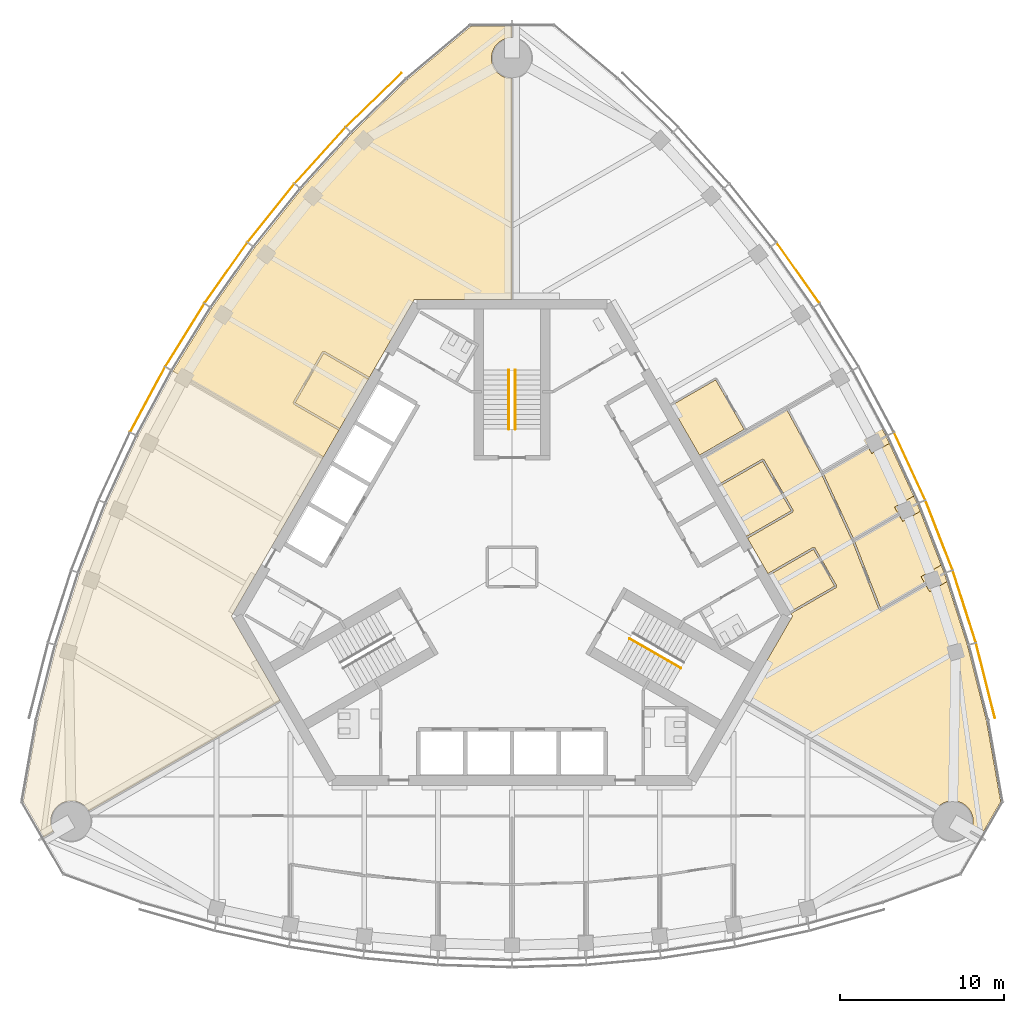
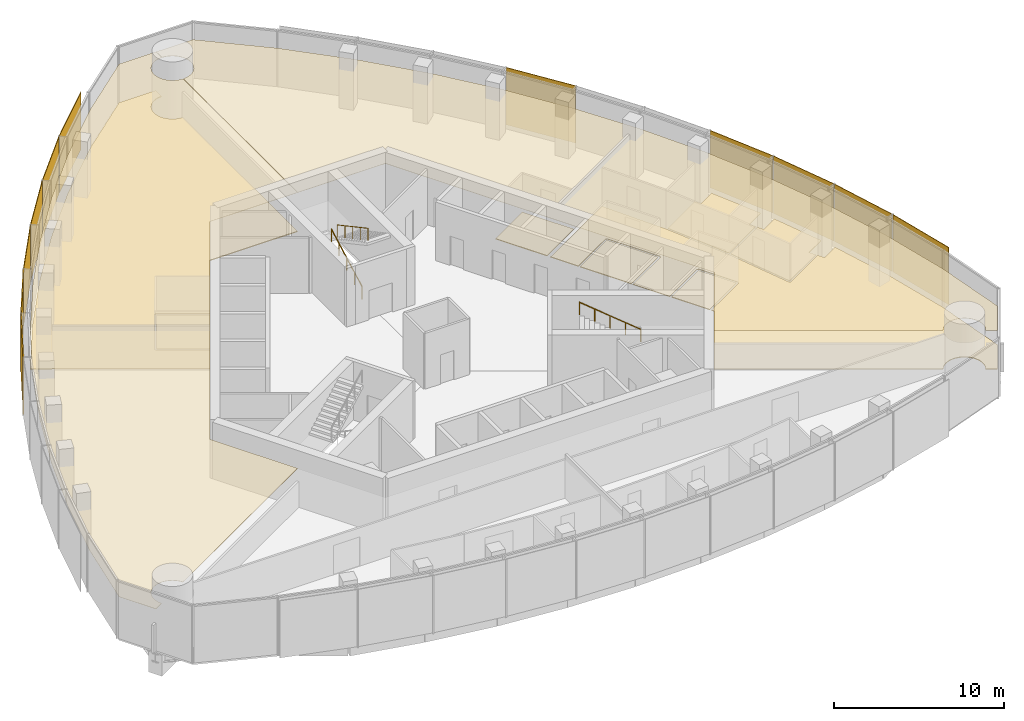
# One storey, part 13 of 16: 11 shading devices, 10 coverings, 3 railings.
"""IFC4 building model written with IfcOpenShell, lengths in metres."""

import ifcopenshell
import ifcopenshell.guid

model = None  # the IFC model being written
_history = None  # IfcOwnerHistory: only IFC2X3 demands one
_inside = {}  # id of a spatial element -> (the spatial element, [elements in it])
_under = {}  # id of a project, library or spatial element -> (it, [spatial elements below it])
_declared = {}  # id of a project -> (the project, [libraries it declares])
_typed = {}  # id of a type object -> (the type object, [elements of that type])
_made_of = {}  # id of a material, layer set ... -> (it, [elements and type objects made of it])


def new_model(schema):
    """Start an empty IFC model of exactly this schema.

    Asked for "IFC4X3", IfcOpenShell would pick the latest addendum, in which some entities
    have other attributes; the version numbers below select the first issue.
    IFC2X3 requires an IfcOwnerHistory on every rooted entity: one is made here for all.
    """
    global model, _history
    if schema == "IFC4X3":
        model = ifcopenshell.file(schema_version=(4, 3, 0, 0))
    else:
        model = ifcopenshell.file(schema=schema)
    _inside.clear()
    _under.clear()
    _declared.clear()
    _typed.clear()
    _made_of.clear()
    _history = None
    if model.schema == "IFC2X3":
        org = make("IfcOrganization", Name="unknown")
        user = make(
            "IfcPersonAndOrganization",
            ThePerson=make("IfcPerson", FamilyName="unknown"),
            TheOrganization=org,
        )
        app = make(
            "IfcApplication",
            ApplicationDeveloper=org,
            Version="unknown",
            ApplicationFullName="unknown",
            ApplicationIdentifier="unknown",
        )
        _history = make(
            "IfcOwnerHistory",
            OwningUser=user,
            OwningApplication=app,
            ChangeAction="ADDED",
            CreationDate=0,
        )
    return model


def make(cls, **values):
    """One entity of the class cls with the attributes given. An attribute that is None is left unset."""
    return model.create_entity(
        cls, **{name: value for name, value in values.items() if value is not None}
    )


def rooted(cls, **values):
    """An entity with a GlobalId (a new one), such as an element, a storey or a relation."""
    return make(cls, GlobalId=ifcopenshell.guid.new(), OwnerHistory=_history, **values)


def si_unit(unit_type, name, prefix=None):
    """IfcSIUnit, for example si_unit("LENGTHUNIT", "METRE", prefix="MILLI")."""
    return make("IfcSIUnit", UnitType=unit_type, Prefix=prefix, Name=name)


def assignment(units):
    """IfcUnitAssignment: the units of a project."""
    return None if units is None else make("IfcUnitAssignment", Units=units)


def point(xyz):
    """IfcCartesianPoint."""
    return None if xyz is None else make("IfcCartesianPoint", Coordinates=xyz)


def direction(xyz):
    """IfcDirection."""
    return None if xyz is None else make("IfcDirection", DirectionRatios=xyz)


def frame(location, z_axis=None, x_axis=None):
    """IfcAxis2Placement3D, a coordinate frame: its origin and axes. An axis left out is left unset."""
    return make(
        "IfcAxis2Placement3D",
        Location=point(location),
        Axis=direction(z_axis),
        RefDirection=direction(x_axis),
    )


def frame_2d(location, x_axis=None):
    """IfcAxis2Placement2D, a coordinate frame in the plane: its origin and x axis."""
    return make(
        "IfcAxis2Placement2D", Location=point(location), RefDirection=direction(x_axis)
    )


def origin():
    """The frame at (0, 0, 0) with its axes left unset."""
    return frame((0.0, 0.0, 0.0))


def origin_2d():
    """The frame at (0, 0) in the plane with its x axis left unset."""
    return frame_2d((0.0, 0.0))


def place(relative_to, where):
    """IfcLocalPlacement: puts the frame where relative to a parent placement (None: the world)."""
    return make(
        "IfcLocalPlacement", PlacementRelTo=relative_to, RelativePlacement=where
    )


def context(
    kind, dimensions, precision=None, world=None, true_north=None, identifier=None
):
    """IfcGeometricRepresentationContext, for example the 3D "Model" context."""
    return make(
        "IfcGeometricRepresentationContext",
        ContextIdentifier=identifier,
        ContextType=kind,
        CoordinateSpaceDimension=dimensions,
        Precision=precision,
        WorldCoordinateSystem=world,
        TrueNorth=true_north,
    )


def subcontext(parent, identifier, kind, view, scale=None):
    """IfcGeometricRepresentationSubContext, for example "Body" below "Model"."""
    return make(
        "IfcGeometricRepresentationSubContext",
        ContextIdentifier=identifier,
        ContextType=kind,
        ParentContext=parent,
        TargetScale=scale,
        TargetView=view,
    )


def project(units=None, contexts=None):
    """IfcProject with its units and contexts."""
    return rooted(
        "IfcProject",
        Name="project",
        RepresentationContexts=contexts,
        UnitsInContext=assignment(units),
    )


def spatial(cls, under=None, at=None, **own):
    """A site, building, storey or space (cls), placed at a placement, below another one or the project."""
    s = rooted(cls, ObjectPlacement=at, **own)
    if under is not None:
        _under.setdefault(under.id(), (under, []))[1].append(s)
    return s


def polyline(points):
    """IfcPolyline through the points."""
    return make("IfcPolyline", Points=[point(p) for p in points])


def profile(cls, at=None, kind="AREA", **sizes):
    """A parametric profile (cls). Its sizes go by their IFC names, for example OverallWidth=200.0."""
    return make(cls, ProfileType=kind, Position=at, **sizes)


def rectangle(**sizes):
    """IfcRectangleProfileDef."""
    return profile("IfcRectangleProfileDef", **sizes)


def circle(**sizes):
    """IfcCircleProfileDef."""
    return profile("IfcCircleProfileDef", **sizes)


def outline(outer, holes=None, kind="AREA"):
    """IfcArbitraryClosedProfileDef: a profile drawn as a closed curve; with holes, ...WithVoids."""
    if holes is None:
        return make("IfcArbitraryClosedProfileDef", ProfileType=kind, OuterCurve=outer)
    return make(
        "IfcArbitraryProfileDefWithVoids",
        ProfileType=kind,
        OuterCurve=outer,
        InnerCurves=holes,
    )


def extrude(swept, where, along, depth):
    """IfcExtrudedAreaSolid: the profile swept, set in the frame where, extruded along a direction by depth."""
    return make(
        "IfcExtrudedAreaSolid",
        SweptArea=swept,
        Position=where,
        ExtrudedDirection=direction(along),
        Depth=depth,
    )


def shape(context_of_items, identifier, shape_type, items):
    """IfcShapeRepresentation: the items that make up one representation, for example the "Body"."""
    return make(
        "IfcShapeRepresentation",
        ContextOfItems=context_of_items,
        RepresentationIdentifier=identifier,
        RepresentationType=shape_type,
        Items=items,
    )


def material(Name=None, Category=None):
    """IfcMaterial."""
    return make("IfcMaterial", Name=Name, Category=Category)


def layer(
    of_material, thickness, ventilated=None, Name=None, Category=None, Priority=None
):
    """IfcMaterialLayer: one layer of a wall or slab, of a material (None: an air gap)."""
    return make(
        "IfcMaterialLayer",
        Material=of_material,
        LayerThickness=thickness,
        IsVentilated=ventilated,
        Name=Name,
        Category=Category,
        Priority=Priority,
    )


def layer_set(layers, Name=None):
    """IfcMaterialLayerSet."""
    return make("IfcMaterialLayerSet", MaterialLayers=layers, LayerSetName=Name)


def made_of(thing, what):
    """Note that an element or type object is made of a material, layer set ...; save() writes the relation."""
    if what is not None:
        _made_of.setdefault(what.id(), (what, []))[1].append(thing)
    return thing


def type_object(cls, material=None, **own):
    """A type object (cls), such as IfcWallType, which elements share."""
    return made_of(rooted(cls, **own), material)


def element(
    cls,
    number,
    at=None,
    inside=None,
    cuts=None,
    type_object=None,
    material=None,
    context=None,
    identifier="Body",
    shape_type=None,
    held_by="IfcProductDefinitionShape",
    body=None,
    shapes=None,
    **own,
):
    """One element of the class cls, such as IfcWall. Its Tag is "e" and its number.

    at: its placement. inside: the storey or other place that contains it. cuts: it is an
    opening in that element (IfcRelVoidsElement). A single representation is given by context,
    identifier, shape_type and body (its items); several are given by shapes. held_by: the class
    of the entity that holds the representations. save() writes the other relations.
    """
    e = rooted(cls, Tag="e%d" % number, ObjectPlacement=at, **own)
    if body is not None:
        shapes = [shape(context, identifier, shape_type, body)]
    if shapes is not None:
        e.Representation = make(held_by, Representations=shapes)
    if inside is not None:
        _inside.setdefault(inside.id(), (inside, []))[1].append(e)
    if cuts is not None:
        rooted(
            "IfcRelVoidsElement", RelatingBuildingElement=cuts, RelatedOpeningElement=e
        )
    if type_object is not None:
        _typed.setdefault(type_object.id(), (type_object, []))[1].append(e)
    return made_of(e, material)


def aggregate(whole, parts):
    """IfcRelAggregates: a whole, such as a stair, and the parts it consists of."""
    return rooted("IfcRelAggregates", RelatingObject=whole, RelatedObjects=parts)


def save(model, path):
    """Write the relations noted so far, then the file.

    IfcRelAggregates (storeys below a building ...), IfcRelContainedInSpatialStructure (elements
    in a storey), IfcRelDefinesByType, IfcRelAssociatesMaterial and IfcRelDeclares: one each for
    every whole, place, type object, material and project.
    """
    for whole, parts in _under.values():
        aggregate(whole, parts)
    for where, things in _inside.values():
        rooted(
            "IfcRelContainedInSpatialStructure",
            RelatedElements=things,
            RelatingStructure=where,
        )
    for kind, things in _typed.values():
        rooted("IfcRelDefinesByType", RelatedObjects=things, RelatingType=kind)
    for what, things in _made_of.values():
        rooted("IfcRelAssociatesMaterial", RelatedObjects=things, RelatingMaterial=what)
    for by, libraries in _declared.values():
        rooted("IfcRelDeclares", RelatingContext=by, RelatedDefinitions=libraries)
    model.write(path)


model = new_model("IFC4")

# Units and contexts
model_context = context("Model", 3, precision=1e-05, world=origin(), true_north=direction((0.0, 1.0)))
body_context = subcontext(model_context, "Body", "Model", "MODEL_VIEW")
ifc_project = project(units=[si_unit("LENGTHUNIT", "METRE"), si_unit("AREAUNIT", "SQUARE_METRE"), si_unit("VOLUMEUNIT", "CUBIC_METRE"), si_unit("PLANEANGLEUNIT", "RADIAN"), si_unit("MASSUNIT", "GRAM", prefix="KILO")], contexts=[model_context])

# Site, building, storey
site_placement = place(None, origin())
site = spatial("IfcSite", under=ifc_project, at=site_placement, CompositionType="ELEMENT")
building_placement = place(site_placement, origin())
building = spatial("IfcBuilding", under=site, at=building_placement, Name="Trefoil Bronze Tower", CompositionType="ELEMENT")
storey_placement = place(building_placement, frame((0.0, 0.0, 318.300048828125)))
storey = spatial("IfcBuildingStorey", under=building, at=storey_placement, Name="L73", CompositionType="ELEMENT", Elevation=318.300048828125)

# Shading devices
ifc_material_1 = material(Name="Perforated bronze sheet", Category="bronze")
ifc_layer_1 = layer(ifc_material_1, 0.0400390625)
ifc_layer_set_1 = layer_set([ifc_layer_1], Name="Bronze solar screen panel")
shading_device_type = type_object("IfcShadingDeviceType", Name="Bronze solar screen panel", PredefinedType="SHUTTER", material=ifc_layer_set_1)
shading_device_1_placement = place(storey_placement, frame((28.843994140625, -6.927490234375, 0.0498046875), z_axis=(0.0, 0.0, 1.0), x_axis=(-0.244879561333, 0.969553505713, 0.0)))
element("IfcShadingDevice", 1, at=shading_device_1_placement, inside=storey, type_object=shading_device_type, Name="Solar screen CW-A L73 F2 bay 1", PredefinedType="SHUTTER", context=body_context, shape_type="SweptSolid", body=[
    extrude(rectangle(XDim=4.697509765625, YDim=0.0400390625, at=origin_2d()), origin(), (0.0, 0.0, 1.0), 4.10009765625),
])
shading_device_2_placement = place(storey_placement, frame((27.55322265625, -2.410888671875, 0.0498046875), z_axis=(0.0, 0.0, 1.0), x_axis=(-0.305187864214, 0.952292165009, 0.0)))
element("IfcShadingDevice", 2, at=shading_device_2_placement, inside=storey, type_object=shading_device_type, Name="Solar screen CW-A L73 F2 bay 2", PredefinedType="SHUTTER", context=body_context, shape_type="SweptSolid", body=[
    extrude(rectangle(XDim=4.574462890625, YDim=0.0400390625, at=origin_2d()), origin(), (0.0, 0.0, 1.0), 4.10009765625),
])
shading_device_3_placement = place(storey_placement, frame((26.0126953125, 1.93359375, 0.0498046875), z_axis=(0.0, 0.0, 1.0), x_axis=(-0.363198578387, 0.931711754062, 0.0)))
element("IfcShadingDevice", 3, at=shading_device_3_placement, inside=storey, type_object=shading_device_type, Name="Solar screen CW-A L73 F2 bay 3", PredefinedType="SHUTTER", context=body_context, shape_type="SweptSolid", body=[
    extrude(rectangle(XDim=4.5224609375, YDim=0.0400390625, at=origin_2d()), origin(), (0.0, 0.0, 1.0), 4.10009765625),
])
for number, where, z_axis, x_axis, name in (
    (4, (24.2255859375, 6.135986328125, 0.0498046875), (0.0, 0.0, 1.0), (-0.419309148468, 0.907843509649, 0.0), "Solar screen CW-A L73 F2 bay 4"),
    (5, (17.4267578125, 17.912109375, 0.0498046875), (0.0, 0.0, 1.0), (-0.576560967783, 0.817054129437, 0.0), "Solar screen CW-A L73 F2 bay 7"),
):
    element("IfcShadingDevice", number, at=place(storey_placement, frame(where, z_axis=z_axis, x_axis=x_axis)), inside=storey, type_object=shading_device_type, Name=name, PredefinedType="SHUTTER", context=body_context, shape_type="SweptSolid", body=[
        extrude(rectangle(XDim=4.48876953125, YDim=0.0400390625, at=origin_2d()), origin(), (0.0, 0.0, 1.0), 4.10009765625),
    ])
shading_device_4_placement = place(storey_placement, frame((-8.42236328125, 28.443359375, 0.0498046875), z_axis=(0.0, 0.0, 1.0), x_axis=(-0.71721818561, -0.696848673839, 0.0)))
element("IfcShadingDevice", 6, at=shading_device_4_placement, inside=storey, type_object=shading_device_type, Name="Solar screen CW-A L73 F3 bay 1", PredefinedType="SHUTTER", context=body_context, shape_type="SweptSolid", body=[
    extrude(rectangle(XDim=4.697509765625, YDim=0.0400390625, at=origin_2d()), origin(), (0.0, 0.0, 1.0), 4.10009765625),
])
shading_device_5_placement = place(storey_placement, frame((-11.688720703125, 25.067138671875, 0.0498046875), z_axis=(0.0, 0.0, 1.0), x_axis=(-0.672115274615, -0.74044652584, 0.0)))
element("IfcShadingDevice", 7, at=shading_device_5_placement, inside=storey, type_object=shading_device_type, Name="Solar screen CW-A L73 F3 bay 2", PredefinedType="SHUTTER", context=body_context, shape_type="SweptSolid", body=[
    extrude(rectangle(XDim=4.574462890625, YDim=0.0400390625, at=origin_2d()), origin(), (0.0, 0.0, 1.0), 4.10009765625),
])
shading_device_6_placement = place(storey_placement, frame((-14.680908203125, 21.560791015625, 0.0498046875), z_axis=(0.0, 0.0, 1.0), x_axis=(-0.625286758829, -0.780395072533, 0.0)))
element("IfcShadingDevice", 8, at=shading_device_6_placement, inside=storey, type_object=shading_device_type, Name="Solar screen CW-A L73 F3 bay 3", PredefinedType="SHUTTER", context=body_context, shape_type="SweptSolid", body=[
    extrude(rectangle(XDim=4.5224609375, YDim=0.0400390625, at=origin_2d()), origin(), (0.0, 0.0, 1.0), 4.10009765625),
])
shading_device_7_placement = place(storey_placement, frame((-17.4267578125, 17.912109375, 0.0498046875), z_axis=(0.0, 0.0, 1.0), x_axis=(-0.576560967783, -0.817054129437, 0.0)))
element("IfcShadingDevice", 9, at=shading_device_7_placement, inside=storey, type_object=shading_device_type, Name="Solar screen CW-A L73 F3 bay 4", PredefinedType="SHUTTER", context=body_context, shape_type="SweptSolid", body=[
    extrude(rectangle(XDim=4.48876953125, YDim=0.0400390625, at=origin_2d()), origin(), (0.0, 0.0, 1.0), 4.10009765625),
])
for number, where, z_axis, x_axis, name in (
    (10, (-19.931396484375, 14.124267578125, 0.0498046875), (0.0, 0.0, 1.0), (-0.525979532701, -0.850497225851, 0.0), "Solar screen CW-A L73 F3 bay 5"),
    (11, (-22.19775390625, 10.198974609375, 0.0498046875), (0.0, 0.0, 1.0), (-0.473562437085, -0.880760250115, 0.0), "Solar screen CW-A L73 F3 bay 6"),
):
    element("IfcShadingDevice", number, at=place(storey_placement, frame(where, z_axis=z_axis, x_axis=x_axis)), inside=storey, type_object=shading_device_type, Name=name, PredefinedType="SHUTTER", context=body_context, shape_type="SweptSolid", body=[
        extrude(rectangle(XDim=4.47216796875, YDim=0.0400390625, at=origin_2d()), origin(), (0.0, 0.0, 1.0), 4.10009765625),
    ])

# Railings
ifc_material_2 = material(Name="Steel handrail", Category="steel")
railing_type = type_object("IfcRailingType", Name="Handrail 900", PredefinedType="HANDRAIL", material=ifc_material_2)
railing_1_placement = place(storey_placement, frame((10.28369140625, -6.168212890625, 2.261474609375)))
element("IfcRailing", 12, at=railing_1_placement, inside=storey, type_object=railing_type, Name="Handrail ST1 flight 2 L73", PredefinedType="HANDRAIL", context=body_context, shape_type="SweptSolid", body=[
    extrude(circle(Radius=0.02392578125, at=origin_2d()), frame((0.0, 0.0, 0.8759765625), z_axis=(-0.76250339821, 0.440245697338, 0.474101564745), x_axis=(-0.500012057535, -0.866018442252, 0.0)), (0.0, 0.0, 1.0), 4.088623046875),
    extrude(circle(Radius=0.02099609375, at=origin_2d()), origin(), (0.0, 0.0, 1.0), 0.851806640625),
    extrude(circle(Radius=0.02099609375, at=origin_2d()), frame((-0.779296875, 0.449951171875, 0.484619140625)), (0.0, 0.0, 1.0), 0.851806640625),
    extrude(circle(Radius=0.02099609375, at=origin_2d()), frame((-1.558837890625, 0.89990234375, 0.96923828125)), (0.0, 0.0, 1.0), 0.851806640625),
    extrude(circle(Radius=0.02099609375, at=origin_2d()), frame((-2.33837890625, 1.35009765625, 1.453857421875)), (0.0, 0.0, 1.0), 0.851806640625),
    extrude(circle(Radius=0.02099609375, at=origin_2d()), frame((-3.11767578125, 1.800048828125, 1.9384765625)), (0.0, 0.0, 1.0), 0.851806640625),
])
railing_2_placement = place(storey_placement, frame((-0.199951171875, 8.389892578125, 0.161376953125)))
element("IfcRailing", 13, at=railing_2_placement, inside=storey, type_object=railing_type, Name="Handrail ST2 flight 1 L73", PredefinedType="HANDRAIL", context=body_context, shape_type="SweptSolid", body=[
    extrude(circle(Radius=0.02392578125, at=origin_2d()), frame((0.0, 0.0, 0.8759765625), z_axis=(0.0, 0.880474934443, 0.474092701714), x_axis=(-1.0, 0.0, 0.0)), (0.0, 0.0, 1.0), 4.0888671875),
    extrude(circle(Radius=0.02099609375, at=origin_2d()), origin(), (0.0, 0.0, 1.0), 0.851806640625),
    extrude(circle(Radius=0.02099609375, at=origin_2d()), frame((0.0, 0.89990234375, 0.484619140625)), (0.0, 0.0, 1.0), 0.851806640625),
    extrude(circle(Radius=0.02099609375, at=origin_2d()), frame((0.0, 1.800048828125, 0.96923828125)), (0.0, 0.0, 1.0), 0.851806640625),
    extrude(circle(Radius=0.02099609375, at=origin_2d()), frame((0.0, 2.7001953125, 1.453857421875)), (0.0, 0.0, 1.0), 0.851806640625),
    extrude(circle(Radius=0.02099609375, at=origin_2d()), frame((0.0, 3.60009765625, 1.9384765625)), (0.0, 0.0, 1.0), 0.851806640625),
])
railing_3_placement = place(storey_placement, frame((0.199951171875, 11.989990234375, 2.261474609375)))
element("IfcRailing", 14, at=railing_3_placement, inside=storey, type_object=railing_type, Name="Handrail ST2 flight 2 L73", PredefinedType="HANDRAIL", context=body_context, shape_type="SweptSolid", body=[
    extrude(circle(Radius=0.02392578125, at=origin_2d()), frame((0.0, 0.0, 0.8759765625), z_axis=(0.0, -0.880474934443, 0.474092701714), x_axis=(1.0, 0.0, 0.0)), (0.0, 0.0, 1.0), 4.0888671875),
    extrude(circle(Radius=0.02099609375, at=origin_2d()), origin(), (0.0, 0.0, 1.0), 0.851806640625),
    extrude(circle(Radius=0.02099609375, at=origin_2d()), frame((0.0, -0.89990234375, 0.484619140625)), (0.0, 0.0, 1.0), 0.851806640625),
    extrude(circle(Radius=0.02099609375, at=origin_2d()), frame((0.0, -1.800048828125, 0.96923828125)), (0.0, 0.0, 1.0), 0.851806640625),
    extrude(circle(Radius=0.02099609375, at=origin_2d()), frame((0.0, -2.7001953125, 1.453857421875)), (0.0, 0.0, 1.0), 0.851806640625),
    extrude(circle(Radius=0.02099609375, at=origin_2d()), frame((0.0, -3.60009765625, 1.9384765625)), (0.0, 0.0, 1.0), 0.851806640625),
])

# Coverings
ifc_material_3 = material(Name="Acoustic ceiling panels", Category="mineral fibre")
ifc_layer_2 = layer(ifc_material_3, 0.02001953125)
ifc_layer_set_2 = layer_set([ifc_layer_2], Name="Office ceiling 20")
covering_type_1 = type_object("IfcCoveringType", Name="Office ceiling 20", PredefinedType="CEILING", material=ifc_layer_set_2)
covering_1_placement = place(storey_placement, frame((0.0, 0.0, 2.89990234375)))
element("IfcCovering", 15, at=covering_1_placement, inside=storey, type_object=covering_type_1, Name="Ceiling L73 Lounge F2", PredefinedType="CEILING", context=body_context, shape_type="SweptSolid", body=[
    extrude(outline(polyline([(9.741455078125, 26.408935546875), (12.836181640625, 22.99951171875), (15.682861328125, 19.44677734375), (18.2880859375, 15.7548828125), (20.656005859375, 11.92578125), (22.7880859375, 7.960693359375), (24.682861328125, 3.8583984375), (26.336181640625, -0.38330078125), (27.741455078125, -4.76806640625), (28.899169921875, -9.3515625), (29.770263671875, -14.291748046875), (28.522216796875, -16.453125), (27.93505859375, -16.1142578125), (27.976806640625, -16.034423828125), (28.001708984375, -15.978515625), (28.023681640625, -15.921142578125), (28.04296875, -15.86279296875), (28.059326171875, -15.8037109375), (28.07275390625, -15.743896484375), (28.083251953125, -15.683349609375), (28.0908203125, -15.62255859375), (28.09521484375, -15.561279296875), (28.0966796875, -15.5), (28.09521484375, -15.438720703125), (28.0908203125, -15.37744140625), (28.083251953125, -15.316650390625), (28.07275390625, -15.256103515625), (28.059326171875, -15.1962890625), (28.04296875, -15.13720703125), (28.023681640625, -15.078857421875), (28.001708984375, -15.021484375), (27.976806640625, -14.965576171875), (27.94921875, -14.910888671875), (27.9189453125, -14.857421875), (27.885986328125, -14.805419921875), (27.850830078125, -14.75537109375), (27.81298828125, -14.70703125), (27.77294921875, -14.66064453125), (27.730712890625, -14.6162109375), (27.686279296875, -14.57373046875), (27.639892578125, -14.53369140625), (27.59130859375, -14.49609375), (27.541259765625, -14.460693359375), (27.489501953125, -14.427734375), (27.43603515625, -14.397705078125), (27.381103515625, -14.3701171875), (27.3251953125, -14.34521484375), (27.267822265625, -14.322998046875), (27.209716796875, -14.3037109375), (27.150390625, -14.28759765625), (27.0908203125, -14.27392578125), (27.0302734375, -14.263427734375), (26.96923828125, -14.256103515625), (26.908203125, -14.25146484375), (26.8466796875, -14.25), (26.785400390625, -14.25146484375), (26.724365234375, -14.256103515625), (26.663330078125, -14.263427734375), (26.602783203125, -14.27392578125), (26.543212890625, -14.28759765625), (26.48388671875, -14.3037109375), (26.42578125, -14.322998046875), (26.368408203125, -14.34521484375), (26.312255859375, -14.3701171875), (26.257568359375, -14.397705078125), (26.2041015625, -14.427734375), (26.15234375, -14.460693359375), (26.102294921875, -14.49609375), (26.0537109375, -14.53369140625), (26.00732421875, -14.57373046875), (25.962890625, -14.6162109375), (25.920654296875, -14.66064453125), (25.880615234375, -14.70703125), (25.8427734375, -14.75537109375), (25.8076171875, -14.805419921875), (25.77001953125, -14.865478515625), (14.119384765625, -8.144775390625), (17.089599609375, -3.0), (5.94677734375, 16.300048828125), (0.006103515625, 16.300048828125), (0.01123046875, 29.750244140625), (0.061279296875, 29.75146484375), (0.12255859375, 29.756103515625), (0.183349609375, 29.763427734375), (0.243896484375, 29.77392578125), (0.3037109375, 29.78759765625), (0.36279296875, 29.8037109375), (0.421142578125, 29.822998046875), (0.478515625, 29.84521484375), (0.534423828125, 29.8701171875), (0.589111328125, 29.897705078125), (0.642578125, 29.927734375), (0.694580078125, 29.960693359375), (0.74462890625, 29.99609375), (0.79296875, 30.03369140625), (0.83935546875, 30.07373046875), (0.8837890625, 30.1162109375), (0.92626953125, 30.16064453125), (0.96630859375, 30.20703125), (1.00390625, 30.25537109375), (1.039306640625, 30.305419921875), (1.072265625, 30.357421875), (1.102294921875, 30.410888671875), (1.1298828125, 30.465576171875), (1.15478515625, 30.521484375), (1.177001953125, 30.578857421875), (1.1962890625, 30.63720703125), (1.21240234375, 30.6962890625), (1.22607421875, 30.756103515625), (1.236572265625, 30.816650390625), (1.243896484375, 30.87744140625), (1.24853515625, 30.938720703125), (1.25, 31.0), (1.24853515625, 31.061279296875), (1.243896484375, 31.12255859375), (1.236572265625, 31.183349609375), (1.22607421875, 31.243896484375), (1.21240234375, 31.3037109375), (1.1962890625, 31.36279296875), (1.177001953125, 31.421142578125), (1.15478515625, 31.478515625), (1.1298828125, 31.534423828125), (1.102294921875, 31.589111328125), (1.072265625, 31.642578125), (1.039306640625, 31.694580078125), (1.00390625, 31.74462890625), (0.96630859375, 31.79296875), (0.92626953125, 31.83935546875), (0.8837890625, 31.8837890625), (0.83935546875, 31.92626953125), (0.79296875, 31.96630859375), (0.74462890625, 32.00390625), (0.694580078125, 32.039306640625), (0.642578125, 32.072265625), (0.589111328125, 32.102294921875), (0.534423828125, 32.1298828125), (0.478515625, 32.15478515625), (0.421142578125, 32.177001953125), (0.36279296875, 32.1962890625), (0.3037109375, 32.21240234375), (0.243896484375, 32.22607421875), (0.183349609375, 32.236572265625), (0.12255859375, 32.243896484375), (0.061279296875, 32.24853515625), (0.01220703125, 32.249755859375), (0.01220703125, 32.927490234375), (2.508056640625, 32.927490234375), (6.350830078125, 29.703125), (9.741455078125, 26.408935546875)])), origin(), (0.0, 0.0, 1.0), 0.02001953125),
])
covering_2_placement = place(storey_placement, frame((0.0, 0.0, 2.89990234375)))
element("IfcCovering", 16, at=covering_2_placement, inside=storey, type_object=covering_type_1, Name="Ceiling L73 Quiet lounge F3", PredefinedType="CEILING", context=body_context, shape_type="SweptSolid", body=[
    extrude(outline(polyline([(-27.741455078125, -4.76806640625), (-26.336181640625, -0.38330078125), (-24.682861328125, 3.8583984375), (-22.7880859375, 7.960693359375), (-20.656005859375, 11.92578125), (-18.2880859375, 15.7548828125), (-15.682861328125, 19.44677734375), (-12.836181640625, 22.99951171875), (-9.741455078125, 26.408935546875), (-6.350830078125, 29.703125), (-2.508056640625, 32.927490234375), (-0.01220703125, 32.927490234375), (-0.01220703125, 32.249755859375), (-0.061279296875, 32.24853515625), (-0.12255859375, 32.243896484375), (-0.183349609375, 32.236572265625), (-0.243896484375, 32.22607421875), (-0.3037109375, 32.21240234375), (-0.36279296875, 32.1962890625), (-0.421142578125, 32.177001953125), (-0.478515625, 32.15478515625), (-0.534423828125, 32.1298828125), (-0.589111328125, 32.102294921875), (-0.642578125, 32.072265625), (-0.694580078125, 32.039306640625), (-0.74462890625, 32.00390625), (-0.79296875, 31.96630859375), (-0.83935546875, 31.92626953125), (-0.8837890625, 31.8837890625), (-0.92626953125, 31.83935546875), (-0.96630859375, 31.79296875), (-1.00390625, 31.74462890625), (-1.039306640625, 31.694580078125), (-1.072265625, 31.642578125), (-1.102294921875, 31.589111328125), (-1.1298828125, 31.534423828125), (-1.15478515625, 31.478515625), (-1.177001953125, 31.421142578125), (-1.1962890625, 31.36279296875), (-1.21240234375, 31.3037109375), (-1.22607421875, 31.243896484375), (-1.236572265625, 31.183349609375), (-1.243896484375, 31.12255859375), (-1.24853515625, 31.061279296875), (-1.25, 31.0), (-1.24853515625, 30.938720703125), (-1.243896484375, 30.87744140625), (-1.236572265625, 30.816650390625), (-1.22607421875, 30.756103515625), (-1.21240234375, 30.6962890625), (-1.1962890625, 30.63720703125), (-1.177001953125, 30.578857421875), (-1.15478515625, 30.521484375), (-1.1298828125, 30.465576171875), (-1.102294921875, 30.410888671875), (-1.072265625, 30.357421875), (-1.039306640625, 30.305419921875), (-1.00390625, 30.25537109375), (-0.96630859375, 30.20703125), (-0.92626953125, 30.16064453125), (-0.8837890625, 30.1162109375), (-0.83935546875, 30.07373046875), (-0.79296875, 30.03369140625), (-0.74462890625, 29.99609375), (-0.694580078125, 29.960693359375), (-0.642578125, 29.927734375), (-0.589111328125, 29.897705078125), (-0.534423828125, 29.8701171875), (-0.478515625, 29.84521484375), (-0.421142578125, 29.822998046875), (-0.36279296875, 29.8037109375), (-0.3037109375, 29.78759765625), (-0.243896484375, 29.77392578125), (-0.183349609375, 29.763427734375), (-0.12255859375, 29.756103515625), (-0.061279296875, 29.75146484375), (-0.01123046875, 29.750244140625), (-0.006103515625, 16.300048828125), (-5.94677734375, 16.300048828125), (-17.089599609375, -3.0), (-14.119384765625, -8.144775390625), (-25.77001953125, -14.865478515625), (-25.8076171875, -14.805419921875), (-25.8427734375, -14.75537109375), (-25.880615234375, -14.70703125), (-25.920654296875, -14.66064453125), (-25.962890625, -14.6162109375), (-26.00732421875, -14.57373046875), (-26.0537109375, -14.53369140625), (-26.102294921875, -14.49609375), (-26.15234375, -14.460693359375), (-26.2041015625, -14.427734375), (-26.257568359375, -14.397705078125), (-26.312255859375, -14.3701171875), (-26.368408203125, -14.34521484375), (-26.42578125, -14.322998046875), (-26.48388671875, -14.3037109375), (-26.543212890625, -14.28759765625), (-26.602783203125, -14.27392578125), (-26.663330078125, -14.263427734375), (-26.724365234375, -14.256103515625), (-26.785400390625, -14.25146484375), (-26.8466796875, -14.25), (-26.908203125, -14.25146484375), (-26.96923828125, -14.256103515625), (-27.0302734375, -14.263427734375), (-27.0908203125, -14.27392578125), (-27.150390625, -14.28759765625), (-27.209716796875, -14.3037109375), (-27.267822265625, -14.322998046875), (-27.3251953125, -14.34521484375), (-27.381103515625, -14.3701171875), (-27.43603515625, -14.397705078125), (-27.489501953125, -14.427734375), (-27.541259765625, -14.460693359375), (-27.59130859375, -14.49609375), (-27.639892578125, -14.53369140625), (-27.686279296875, -14.57373046875), (-27.730712890625, -14.6162109375), (-27.77294921875, -14.66064453125), (-27.81298828125, -14.70703125), (-27.850830078125, -14.75537109375), (-27.885986328125, -14.805419921875), (-27.9189453125, -14.857421875), (-27.94921875, -14.910888671875), (-27.976806640625, -14.965576171875), (-28.001708984375, -15.021484375), (-28.023681640625, -15.078857421875), (-28.04296875, -15.13720703125), (-28.059326171875, -15.1962890625), (-28.07275390625, -15.256103515625), (-28.083251953125, -15.316650390625), (-28.0908203125, -15.37744140625), (-28.09521484375, -15.438720703125), (-28.0966796875, -15.5), (-28.09521484375, -15.561279296875), (-28.0908203125, -15.62255859375), (-28.083251953125, -15.683349609375), (-28.07275390625, -15.743896484375), (-28.059326171875, -15.8037109375), (-28.04296875, -15.86279296875), (-28.023681640625, -15.921142578125), (-28.001708984375, -15.978515625), (-27.976806640625, -16.034423828125), (-27.93505859375, -16.1142578125), (-28.522216796875, -16.453125), (-29.770263671875, -14.291748046875), (-28.899169921875, -9.3515625), (-27.741455078125, -4.76806640625)])), origin(), (0.0, 0.0, 1.0), 0.02001953125),
])
ifc_material_4 = material(Name="Raised access floor panels", Category="steel")
ifc_layer_3 = layer(ifc_material_4, 0.050048828125)
ifc_layer_set_3 = layer_set([ifc_layer_3], Name="Raised access floor 150")
covering_type_2 = type_object("IfcCoveringType", Name="Raised access floor 150", PredefinedType="FLOORING", material=ifc_layer_set_3)
covering_3_placement = place(storey_placement, frame((0.0, 0.0, 0.099853515625)))
element("IfcCovering", 17, at=covering_3_placement, inside=storey, type_object=covering_type_2, Name="Raised floor L73 Meeting room F2", PredefinedType="FLOORING", context=body_context, shape_type="SweptSolid", body=[
    extrude(outline(polyline([(12.548095703125, 4.865966796875), (15.267578125, 6.43603515625), (17.007568359375, 3.422119140625), (14.2880859375, 1.852294921875), (12.548095703125, 4.865966796875)])), origin(), (0.0, 0.0, 1.0), 0.050048828125),
])
covering_4_placement = place(storey_placement, frame((0.0, 0.0, 0.099853515625)))
element("IfcCovering", 18, at=covering_4_placement, inside=storey, type_object=covering_type_2, Name="Raised floor L73 Meeting room F2", PredefinedType="FLOORING", context=body_context, shape_type="SweptSolid", body=[
    extrude(outline(polyline([(9.685546875, 9.823974609375), (12.405029296875, 11.39404296875), (14.14501953125, 8.380126953125), (11.425537109375, 6.810302734375), (9.685546875, 9.823974609375)])), origin(), (0.0, 0.0, 1.0), 0.050048828125),
])
covering_5_placement = place(storey_placement, frame((0.0, 0.0, 0.099853515625)))
element("IfcCovering", 19, at=covering_5_placement, inside=storey, type_object=covering_type_2, Name="Raised floor L73 Pantry F2", PredefinedType="FLOORING", context=body_context, shape_type="SweptSolid", body=[
    extrude(outline(polyline([(15.648193359375, -0.50341796875), (18.367431640625, 1.066650390625), (19.657470703125, -1.167724609375), (16.93798828125, -2.73779296875), (15.648193359375, -0.50341796875)])), origin(), (0.0, 0.0, 1.0), 0.050048828125),
])
covering_6_placement = place(storey_placement, frame((0.0, 0.0, 0.099853515625)))
element("IfcCovering", 20, at=covering_6_placement, inside=storey, type_object=covering_type_2, Name="Raised floor L73 Members' office F2", PredefinedType="FLOORING", context=body_context, shape_type="SweptSolid", body=[
    extrude(outline(polyline([(23.519775390625, 3.256103515625), (20.8125, 1.693115234375), (18.968505859375, 5.68603515625), (21.70751953125, 7.267333984375), (21.677490234375, 7.3193359375), (21.680419921875, 7.321044921875), (21.919189453125, 6.90771484375), (22.989013671875, 7.525390625), (24.47119140625, 4.316162109375), (23.298583984375, 3.63916015625), (23.519775390625, 3.256103515625)])), origin(), (0.0, 0.0, 1.0), 0.050048828125),
])
covering_7_placement = place(storey_placement, frame((0.0, 0.0, 0.099853515625)))
element("IfcCovering", 21, at=covering_7_placement, inside=storey, type_object=covering_type_2, Name="Raised floor L73 Members' office F2", PredefinedType="FLOORING", context=body_context, shape_type="SweptSolid", body=[
    extrude(outline(polyline([(25.146728515625, -1.000732421875), (22.4697265625, -2.54638671875), (20.8603515625, 1.58203125), (23.579833984375, 3.152099609375), (23.801025390625, 2.769287109375), (24.867431640625, 3.385009765625), (26.143310546875, 0.112060546875), (24.9140625, -0.59765625), (25.146728515625, -1.000732421875)])), origin(), (0.0, 0.0, 1.0), 0.050048828125),
])
covering_8_placement = place(storey_placement, frame((0.0, 0.0, 0.099853515625)))
element("IfcCovering", 22, at=covering_8_placement, inside=storey, type_object=covering_type_2, Name="Raised floor L73 Lounge F2", PredefinedType="FLOORING", context=body_context, shape_type="SweptSolid", body=[
    extrude(outline(polyline([(11.52734375, 6.654052734375), (11.564208984375, 6.590087890625), (16.742431640625, 9.57958984375), (18.83740234375, 5.683837890625), (20.73046875, 1.584716796875), (22.38330078125, -2.655029296875), (22.439208984375, -2.63330078125), (22.468994140625, -2.685302734375), (25.206787109375, -1.104736328125), (25.439453125, -1.5078125), (26.500244140625, -0.895263671875), (27.741455078125, -4.76806640625), (28.899169921875, -9.3515625), (29.770263671875, -14.291748046875), (28.522216796875, -16.453125), (27.93505859375, -16.1142578125), (27.976806640625, -16.034423828125), (28.001708984375, -15.978515625), (28.023681640625, -15.921142578125), (28.04296875, -15.86279296875), (28.059326171875, -15.8037109375), (28.07275390625, -15.743896484375), (28.083251953125, -15.683349609375), (28.0908203125, -15.62255859375), (28.09521484375, -15.561279296875), (28.0966796875, -15.5), (28.09521484375, -15.438720703125), (28.0908203125, -15.37744140625), (28.083251953125, -15.316650390625), (28.07275390625, -15.256103515625), (28.059326171875, -15.1962890625), (28.04296875, -15.13720703125), (28.023681640625, -15.078857421875), (28.001708984375, -15.021484375), (27.976806640625, -14.965576171875), (27.94921875, -14.910888671875), (27.9189453125, -14.857421875), (27.885986328125, -14.805419921875), (27.850830078125, -14.75537109375), (27.81298828125, -14.70703125), (27.77294921875, -14.66064453125), (27.730712890625, -14.6162109375), (27.686279296875, -14.57373046875), (27.639892578125, -14.53369140625), (27.59130859375, -14.49609375), (27.541259765625, -14.460693359375), (27.489501953125, -14.427734375), (27.43603515625, -14.397705078125), (27.381103515625, -14.3701171875), (27.3251953125, -14.34521484375), (27.267822265625, -14.322998046875), (27.209716796875, -14.3037109375), (27.150390625, -14.28759765625), (27.0908203125, -14.27392578125), (27.0302734375, -14.263427734375), (26.96923828125, -14.256103515625), (26.908203125, -14.25146484375), (26.8466796875, -14.25), (26.785400390625, -14.25146484375), (26.724365234375, -14.256103515625), (26.663330078125, -14.263427734375), (26.602783203125, -14.27392578125), (26.543212890625, -14.28759765625), (26.48388671875, -14.3037109375), (26.42578125, -14.322998046875), (26.368408203125, -14.34521484375), (26.312255859375, -14.3701171875), (26.257568359375, -14.397705078125), (26.2041015625, -14.427734375), (26.15234375, -14.460693359375), (26.102294921875, -14.49609375), (26.0537109375, -14.53369140625), (26.00732421875, -14.57373046875), (25.962890625, -14.6162109375), (25.920654296875, -14.66064453125), (25.880615234375, -14.70703125), (25.8427734375, -14.75537109375), (25.8076171875, -14.805419921875), (25.77001953125, -14.865478515625), (14.119384765625, -8.144775390625), (17.089599609375, -3.0), (16.998046875, -2.841552734375), (19.769287109375, -1.24169921875), (19.739501953125, -1.189697265625), (19.79150390625, -1.15966796875), (18.44140625, 1.1787109375), (18.389404296875, 1.148681640625), (18.359375, 1.20068359375), (15.588134765625, -0.3994140625), (14.34814453125, 1.748291015625), (17.119384765625, 3.348388671875), (17.08935546875, 3.400390625), (17.141357421875, 3.430419921875), (15.34130859375, 6.5478515625), (15.289306640625, 6.517822265625), (15.259521484375, 6.56982421875), (12.488037109375, 4.969970703125), (11.5185546875, 6.649169921875), (11.52734375, 6.654052734375)])), origin(), (0.0, 0.0, 1.0), 0.050048828125),
])
covering_9_placement = place(storey_placement, frame((0.0, 0.0, 0.099853515625)))
element("IfcCovering", 23, at=covering_9_placement, inside=storey, type_object=covering_type_2, Name="Raised floor L73 Meeting room F3", PredefinedType="FLOORING", context=body_context, shape_type="SweptSolid", body=[
    extrude(outline(polyline([(-10.488037109375, 8.43408203125), (-13.20751953125, 10.00390625), (-11.467529296875, 13.017822265625), (-8.748046875, 11.44775390625), (-10.488037109375, 8.43408203125)])), origin(), (0.0, 0.0, 1.0), 0.050048828125),
])
covering_10_placement = place(storey_placement, frame((0.0, 0.0, 0.099853515625)))
element("IfcCovering", 24, at=covering_10_placement, inside=storey, type_object=covering_type_2, Name="Raised floor L73 Quiet lounge F3", PredefinedType="FLOORING", context=body_context, shape_type="SweptSolid", body=[
    extrude(outline(polyline([(-0.01123046875, 29.750244140625), (-0.006103515625, 16.300048828125), (-5.94677734375, 16.300048828125), (-8.68798828125, 11.5517578125), (-11.45947265625, 13.151611328125), (-11.489501953125, 13.099609375), (-11.54150390625, 13.129638671875), (-13.34130859375, 10.01220703125), (-13.289306640625, 9.982177734375), (-13.3193359375, 9.93017578125), (-10.548095703125, 8.330078125), (-11.517578125, 6.65087890625), (-11.5263671875, 6.656005859375), (-11.4892578125, 6.719970703125), (-19.510009765625, 11.350830078125), (-19.547119140625, 11.28662109375), (-20.655517578125, 11.926513671875), (-18.2880859375, 15.7548828125), (-15.682861328125, 19.44677734375), (-12.836181640625, 22.99951171875), (-9.741455078125, 26.408935546875), (-6.350830078125, 29.703125), (-2.508056640625, 32.927490234375), (-0.01220703125, 32.927490234375), (-0.01220703125, 32.249755859375), (-0.061279296875, 32.24853515625), (-0.12255859375, 32.243896484375), (-0.183349609375, 32.236572265625), (-0.243896484375, 32.22607421875), (-0.3037109375, 32.21240234375), (-0.36279296875, 32.1962890625), (-0.421142578125, 32.177001953125), (-0.478515625, 32.15478515625), (-0.534423828125, 32.1298828125), (-0.589111328125, 32.102294921875), (-0.642578125, 32.072265625), (-0.694580078125, 32.039306640625), (-0.74462890625, 32.00390625), (-0.79296875, 31.96630859375), (-0.83935546875, 31.92626953125), (-0.8837890625, 31.8837890625), (-0.92626953125, 31.83935546875), (-0.96630859375, 31.79296875), (-1.00390625, 31.74462890625), (-1.039306640625, 31.694580078125), (-1.072265625, 31.642578125), (-1.102294921875, 31.589111328125), (-1.1298828125, 31.534423828125), (-1.15478515625, 31.478515625), (-1.177001953125, 31.421142578125), (-1.1962890625, 31.36279296875), (-1.21240234375, 31.3037109375), (-1.22607421875, 31.243896484375), (-1.236572265625, 31.183349609375), (-1.243896484375, 31.12255859375), (-1.24853515625, 31.061279296875), (-1.25, 31.0), (-1.24853515625, 30.938720703125), (-1.243896484375, 30.87744140625), (-1.236572265625, 30.816650390625), (-1.22607421875, 30.756103515625), (-1.21240234375, 30.6962890625), (-1.1962890625, 30.63720703125), (-1.177001953125, 30.578857421875), (-1.15478515625, 30.521484375), (-1.1298828125, 30.465576171875), (-1.102294921875, 30.410888671875), (-1.072265625, 30.357421875), (-1.039306640625, 30.305419921875), (-1.00390625, 30.25537109375), (-0.96630859375, 30.20703125), (-0.92626953125, 30.16064453125), (-0.8837890625, 30.1162109375), (-0.83935546875, 30.07373046875), (-0.79296875, 30.03369140625), (-0.74462890625, 29.99609375), (-0.694580078125, 29.960693359375), (-0.642578125, 29.927734375), (-0.589111328125, 29.897705078125), (-0.534423828125, 29.8701171875), (-0.478515625, 29.84521484375), (-0.421142578125, 29.822998046875), (-0.36279296875, 29.8037109375), (-0.3037109375, 29.78759765625), (-0.243896484375, 29.77392578125), (-0.183349609375, 29.763427734375), (-0.12255859375, 29.756103515625), (-0.061279296875, 29.75146484375), (-0.01123046875, 29.750244140625)])), origin(), (0.0, 0.0, 1.0), 0.050048828125),
])

save(model, "model.ifc")
